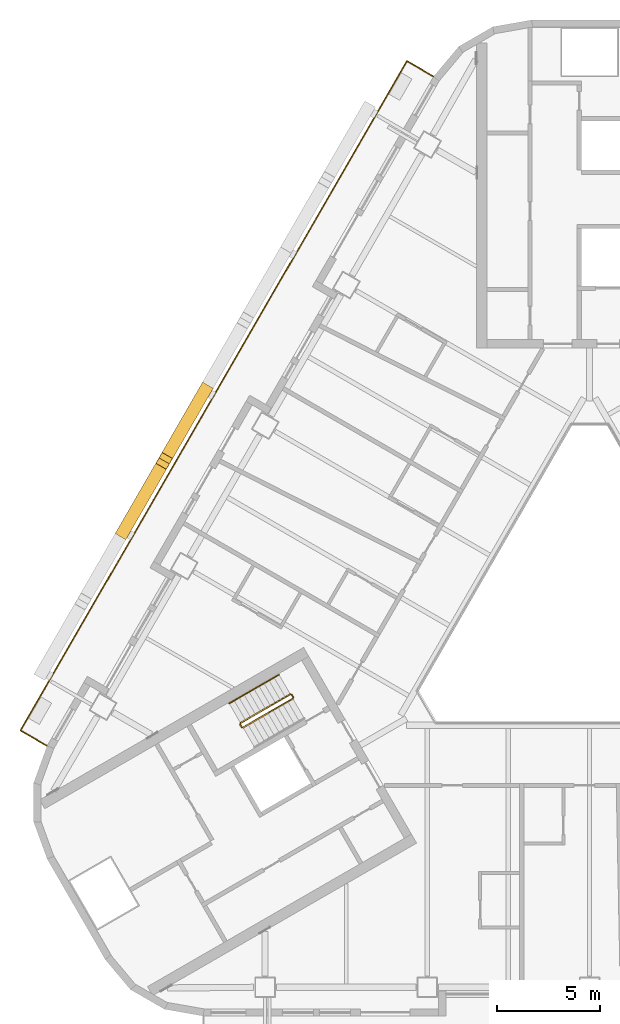
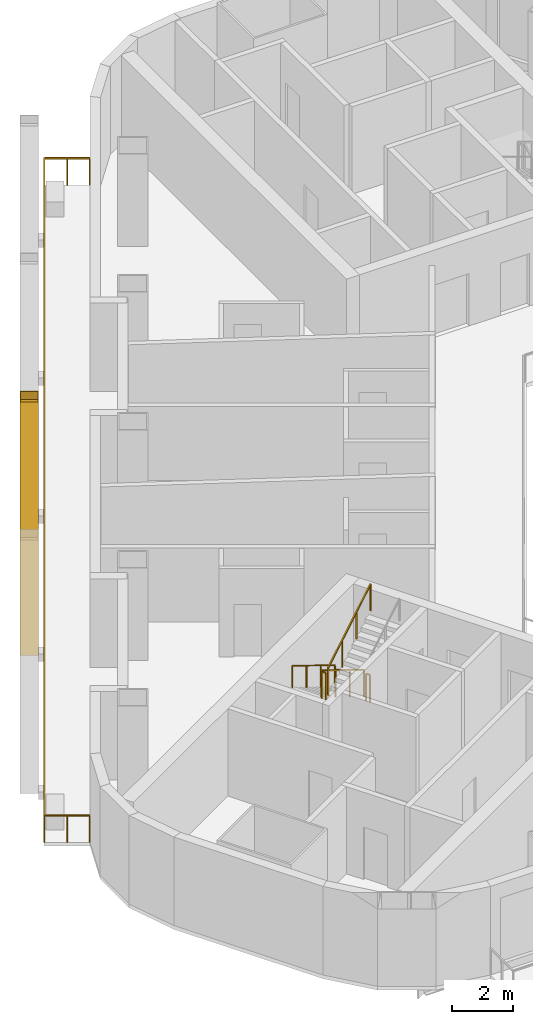
# One storey, part 13 of 17: 6 railings, 2 shading devices.
"""IFC4 building model written with IfcOpenShell, lengths in metres."""

from ifc_helpers import new_model, si_unit, direction, frame, origin, origin_2d, place, context, subcontext, project, spatial, rectangle, hollow_rectangle, circle, extrude, material, material_profile, profile_set, type_object, element, save


model = new_model("IFC4")

# Units and contexts
model_context = context("Model", 3, precision=1e-05, world=origin(), true_north=direction((0.0, 1.0)))
body_context = subcontext(model_context, "Body", "Model", "MODEL_VIEW")
ifc_project = project(units=[si_unit("LENGTHUNIT", "METRE"), si_unit("AREAUNIT", "SQUARE_METRE"), si_unit("VOLUMEUNIT", "CUBIC_METRE"), si_unit("PLANEANGLEUNIT", "RADIAN"), si_unit("MASSUNIT", "GRAM", prefix="KILO")], contexts=[model_context])

# Site, building, storey
site_placement = place(None, origin())
site = spatial("IfcSite", under=ifc_project, at=site_placement, CompositionType="ELEMENT")
building_placement = place(site_placement, origin())
building = spatial("IfcBuilding", under=site, at=building_placement, Name="Apuvela Tower Hotel", CompositionType="ELEMENT")
storey_placement = place(building_placement, frame((0.0, 0.0, 46.5)))
storey = spatial("IfcBuildingStorey", under=building, at=storey_placement, Name="L08", CompositionType="ELEMENT", Elevation=46.5)

# Railings
ifc_material_1 = material(Name="Steel S275 balustrade", Category="steel")
railing_type_1 = type_object("IfcRailingType", Name="COR-GUARD-1100", PredefinedType="GUARDRAIL", material=ifc_material_1)
railing_1_placement = place(storey_placement, frame((-14.569091796875, -3.9658203125, 0.168212890625)))
element("IfcRailing", 1, at=railing_1_placement, inside=storey, type_object=railing_type_1, Name="L08 ST2 stair guard 1", PredefinedType="GUARDRAIL", context=body_context, shape_type="SweptSolid", body=[
    extrude(rectangle(XDim=0.048095703125, YDim=0.048095703125, at=origin_2d()), frame((0.0, 0.0, 1.076171875), z_axis=(-0.742390482028, -0.42860119049, 0.514934356695), x_axis=(0.49998411664, -0.866034573852, 0.0)), (0.0, 0.0, 1.0), 3.26611328125),
    extrude(rectangle(XDim=0.0419921875, YDim=0.0419921875, at=origin_2d()), origin(), (0.0, 0.0, 1.0), 1.052001953125),
    extrude(rectangle(XDim=0.0419921875, YDim=0.0419921875, at=origin_2d()), frame((-0.808349609375, -0.466552734375, 0.560546875)), (0.0, 0.0, 1.0), 1.052001953125),
    extrude(rectangle(XDim=0.0419921875, YDim=0.0419921875, at=origin_2d()), frame((-1.616455078125, -0.933349609375, 1.121337890625)), (0.0, 0.0, 1.0), 1.052001953125),
    extrude(rectangle(XDim=0.0419921875, YDim=0.0419921875, at=origin_2d()), frame((-2.4248046875, -1.39990234375, 1.681884765625)), (0.0, 0.0, 1.0), 1.052001953125),
])
railing_2_placement = place(storey_placement, frame((-17.01220703125, -5.43408203125, 1.85009765625)))
element("IfcRailing", 2, at=railing_2_placement, inside=storey, type_object=railing_type_1, Name="L08 ST2 stair guard 2", PredefinedType="GUARDRAIL", context=body_context, shape_type="SweptSolid", body=[
    extrude(rectangle(XDim=0.048095703125, YDim=0.048095703125, at=origin_2d()), frame((0.0, 0.0, 1.076171875), z_axis=(0.499816412211, -0.866131372301, 0.0), x_axis=(0.866131372301, 0.499816412211, 0.0)), (0.0, 0.0, 1.0), 0.14990234375),
    extrude(rectangle(XDim=0.0419921875, YDim=0.0419921875, at=origin_2d()), origin(), (0.0, 0.0, 1.0), 1.052001953125),
    extrude(rectangle(XDim=0.0419921875, YDim=0.0419921875, at=origin_2d()), frame((0.074951171875, -0.1298828125, 0.0)), (0.0, 0.0, 1.0), 1.052001953125),
])
railing_3_placement = place(storey_placement, frame((-16.868896484375, -5.582275390625, 2.01806640625)))
element("IfcRailing", 3, at=railing_3_placement, inside=storey, type_object=railing_type_1, Name="L08 ST2 stair guard 3", PredefinedType="GUARDRAIL", context=body_context, shape_type="SweptSolid", body=[
    extrude(rectangle(XDim=0.048095703125, YDim=0.048095703125, at=origin_2d()), frame((0.0, 0.0, 1.076171875), z_axis=(0.742390482028, 0.42860119049, 0.514934356695), x_axis=(-0.49998411664, 0.866034573852, 0.0)), (0.0, 0.0, 1.0), 3.26611328125),
    extrude(rectangle(XDim=0.0419921875, YDim=0.0419921875, at=origin_2d()), origin(), (0.0, 0.0, 1.0), 1.052001953125),
    extrude(rectangle(XDim=0.0419921875, YDim=0.0419921875, at=origin_2d()), frame((0.808349609375, 0.466552734375, 0.560546875)), (0.0, 0.0, 1.0), 1.052001953125),
    extrude(rectangle(XDim=0.0419921875, YDim=0.0419921875, at=origin_2d()), frame((1.616455078125, 0.933349609375, 1.121337890625)), (0.0, 0.0, 1.0), 1.052001953125),
    extrude(rectangle(XDim=0.0419921875, YDim=0.0419921875, at=origin_2d()), frame((2.4248046875, 1.39990234375, 1.681884765625)), (0.0, 0.0, 1.0), 1.052001953125),
])
railing_4_placement = place(storey_placement, frame((-14.500732421875, -3.984130859375, 0.0)))
element("IfcRailing", 4, at=railing_4_placement, inside=storey, type_object=railing_type_1, Name="L08 ST2 stair guard 4", PredefinedType="GUARDRAIL", context=body_context, shape_type="SweptSolid", body=[
    extrude(rectangle(XDim=0.048095703125, YDim=0.048095703125, at=origin_2d()), frame((0.0, 0.0, 1.076171875), z_axis=(0.499816412211, -0.866131372301, 0.0), x_axis=(0.866131372301, 0.499816412211, 0.0)), (0.0, 0.0, 1.0), 0.14990234375),
    extrude(rectangle(XDim=0.0419921875, YDim=0.0419921875, at=origin_2d()), origin(), (0.0, 0.0, 1.0), 1.052001953125),
    extrude(rectangle(XDim=0.0419921875, YDim=0.0419921875, at=origin_2d()), frame((0.074951171875, -0.1298828125, 0.0)), (0.0, 0.0, 1.0), 1.052001953125),
])
ifc_material_2 = material(Name="Stainless steel 316 handrail", Category="steel")
railing_type_2 = type_object("IfcRailingType", Name="COR-HANDRAIL-900", PredefinedType="HANDRAIL", material=ifc_material_2)
railing_5_placement = place(storey_placement, frame((-15.118896484375, -3.01318359375, 0.168212890625)))
element("IfcRailing", 5, at=railing_5_placement, inside=storey, type_object=railing_type_2, Name="L08 ST2 stair handrail 1", PredefinedType="HANDRAIL", context=body_context, shape_type="SweptSolid", body=[
    extrude(circle(Radius=0.02392578125, at=origin_2d()), frame((0.0, 0.0, 0.8759765625), z_axis=(-0.742424030051, -0.428577407461, 0.514905783049), x_axis=(0.49994636267, -0.866056369097, 0.0)), (0.0, 0.0, 1.0), 3.266357421875),
    extrude(rectangle(XDim=0.0419921875, YDim=0.0419921875, at=origin_2d()), origin(), (0.0, 0.0, 1.0), 0.851806640625),
    extrude(rectangle(XDim=0.0419921875, YDim=0.0419921875, at=origin_2d()), frame((-0.808349609375, -0.466552734375, 0.560546875)), (0.0, 0.0, 1.0), 0.851806640625),
    extrude(rectangle(XDim=0.0419921875, YDim=0.0419921875, at=origin_2d()), frame((-1.61669921875, -0.933349609375, 1.121337890625)), (0.0, 0.0, 1.0), 0.851806640625),
    extrude(rectangle(XDim=0.0419921875, YDim=0.0419921875, at=origin_2d()), frame((-2.425048828125, -1.39990234375, 1.681884765625)), (0.0, 0.0, 1.0), 0.851806640625),
])

# Shading devices
ifc_material_3 = material(Name="Aluminium 6063-T6, black anodised", Category="aluminium")
ifc_material_profile = material_profile(ifc_material_3, hollow_rectangle(XDim=0.60009765625, YDim=0.699951171875, WallThickness=0.011962890625, at=origin_2d()), Name="AL BOX 700x600x12")
ifc_profile_set = profile_set([ifc_material_profile], Name="Aluminium 6063-T6, black anodised")
shading_device_type = type_object("IfcShadingDeviceType", Name="ENV-FIN-700x600", PredefinedType="USERDEFINED", material=ifc_profile_set)
shading_device_1_placement = place(storey_placement, frame((-18.732177734375, 10.81494140625, -0.10009765625), z_axis=(-0.235430342887, -0.407790151341, 0.882201647084), x_axis=(0.866032218625, -0.499988196164, 0.0)))
element("IfcShadingDevice", 6, at=shading_device_1_placement, inside=storey, type_object=shading_device_type, Name="Lattice fin NW101", ObjectType="FIN", PredefinedType="USERDEFINED", context=body_context, shape_type="SweptSolid", body=[
    extrude(hollow_rectangle(XDim=0.60009765625, YDim=0.699951171875, WallThickness=0.011962890625, at=origin_2d()), origin(), (0.0, 0.0, 1.0), 8.38818359375),
])
shading_device_2_placement = place(storey_placement, frame((-22.68212890625, 3.973388671875, -0.10009765625), z_axis=(0.235455039791, 0.407811621453, 0.882185131163), x_axis=(-0.866020906874, 0.500007788796, 0.0)))
element("IfcShadingDevice", 7, at=shading_device_2_placement, inside=storey, type_object=shading_device_type, Name="Lattice fin NW102", ObjectType="FIN", PredefinedType="USERDEFINED", context=body_context, shape_type="SweptSolid", body=[
    extrude(hollow_rectangle(XDim=0.60009765625, YDim=0.699951171875, WallThickness=0.011962890625, at=origin_2d()), origin(), (0.0, 0.0, 1.0), 8.388427734375),
])

# Railing
ifc_material_4 = material(Name="Stainless steel 316 rail with laminated glass infill", Category="steel")
railing_type_3 = type_object("IfcRailingType", Name="ENV-GUARD-1100", PredefinedType="GUARDRAIL", material=ifc_material_4)
railing_6_placement = place(storey_placement, frame((-7.59228515625, 26.110107421875, 0.0)))
element("IfcRailing", 8, at=railing_6_placement, inside=storey, type_object=railing_type_3, Name="Balcony guard NW L08", PredefinedType="GUARDRAIL", context=body_context, shape_type="SweptSolid", body=[
    extrude(rectangle(XDim=0.050048828125, YDim=0.050048828125, at=origin_2d()), frame((0.0, 0.0, 1.0751953125), z_axis=(-0.86599040064, 0.500060622324, 0.0), x_axis=(-0.500060622324, -0.86599040064, 0.0)), (0.0, 0.0, 1.0), 1.499755859375),
    extrude(rectangle(XDim=0.050048828125, YDim=0.050048828125, at=origin_2d()), frame((-1.298828125, 0.75, 1.0751953125), z_axis=(-0.500000437506, -0.86602515119, 0.0), x_axis=(0.86602515119, -0.500000437506, 0.0)), (0.0, 0.0, 1.0), 37.6318359375),
    extrude(rectangle(XDim=0.050048828125, YDim=0.050048828125, at=origin_2d()), frame((-20.11474609375, -31.840087890625, 1.0751953125), z_axis=(0.866031096941, -0.499990139034, 0.0), x_axis=(0.499990139034, 0.866031096941, 0.0)), (0.0, 0.0, 1.0), 1.5),
    extrude(rectangle(XDim=0.0400390625, YDim=0.0400390625, at=origin_2d()), origin(), (0.0, 0.0, 1.0), 1.050048828125),
    extrude(rectangle(XDim=0.0400390625, YDim=0.0400390625, at=origin_2d()), frame((-0.6494140625, 0.375, 0.0)), (0.0, 0.0, 1.0), 1.050048828125),
    extrude(rectangle(XDim=0.0400390625, YDim=0.0400390625, at=origin_2d()), frame((-1.298828125, 0.75, 0.0)), (0.0, 0.0, 1.0), 1.050048828125),
    extrude(rectangle(XDim=0.0400390625, YDim=0.0400390625, at=origin_2d()), frame((-1.88671875, -0.2685546875, 0.0)), (0.0, 0.0, 1.0), 1.050048828125),
    extrude(rectangle(XDim=0.0400390625, YDim=0.0400390625, at=origin_2d()), frame((-2.474853515625, -1.286865234375, 0.0)), (0.0, 0.0, 1.0), 1.050048828125),
    extrude(rectangle(XDim=0.0400390625, YDim=0.0400390625, at=origin_2d()), frame((-3.062744140625, -2.305419921875, 0.0)), (0.0, 0.0, 1.0), 1.050048828125),
    extrude(rectangle(XDim=0.0400390625, YDim=0.0400390625, at=origin_2d()), frame((-3.65087890625, -3.32373046875, 0.0)), (0.0, 0.0, 1.0), 1.050048828125),
    extrude(rectangle(XDim=0.0400390625, YDim=0.0400390625, at=origin_2d()), frame((-4.23876953125, -4.34228515625, 0.0)), (0.0, 0.0, 1.0), 1.050048828125),
    extrude(rectangle(XDim=0.0400390625, YDim=0.0400390625, at=origin_2d()), frame((-4.826904296875, -5.360595703125, 0.0)), (0.0, 0.0, 1.0), 1.050048828125),
    extrude(rectangle(XDim=0.0400390625, YDim=0.0400390625, at=origin_2d()), frame((-5.414794921875, -6.379150390625, 0.0)), (0.0, 0.0, 1.0), 1.050048828125),
    extrude(rectangle(XDim=0.0400390625, YDim=0.0400390625, at=origin_2d()), frame((-6.0029296875, -7.3974609375, 0.0)), (0.0, 0.0, 1.0), 1.050048828125),
    extrude(rectangle(XDim=0.0400390625, YDim=0.0400390625, at=origin_2d()), frame((-6.5908203125, -8.416015625, 0.0)), (0.0, 0.0, 1.0), 1.050048828125),
    extrude(rectangle(XDim=0.0400390625, YDim=0.0400390625, at=origin_2d()), frame((-7.1787109375, -9.434326171875, 0.0)), (0.0, 0.0, 1.0), 1.050048828125),
    extrude(rectangle(XDim=0.0400390625, YDim=0.0400390625, at=origin_2d()), frame((-7.766845703125, -10.452880859375, 0.0)), (0.0, 0.0, 1.0), 1.050048828125),
    extrude(rectangle(XDim=0.0400390625, YDim=0.0400390625, at=origin_2d()), frame((-8.354736328125, -11.47119140625, 0.0)), (0.0, 0.0, 1.0), 1.050048828125),
    extrude(rectangle(XDim=0.0400390625, YDim=0.0400390625, at=origin_2d()), frame((-8.94287109375, -12.48974609375, 0.0)), (0.0, 0.0, 1.0), 1.050048828125),
    extrude(rectangle(XDim=0.0400390625, YDim=0.0400390625, at=origin_2d()), frame((-9.53076171875, -13.508056640625, 0.0)), (0.0, 0.0, 1.0), 1.050048828125),
    extrude(rectangle(XDim=0.0400390625, YDim=0.0400390625, at=origin_2d()), frame((-10.118896484375, -14.526611328125, 0.0)), (0.0, 0.0, 1.0), 1.050048828125),
    extrude(rectangle(XDim=0.0400390625, YDim=0.0400390625, at=origin_2d()), frame((-10.706787109375, -15.544921875, 0.0)), (0.0, 0.0, 1.0), 1.050048828125),
    extrude(rectangle(XDim=0.0400390625, YDim=0.0400390625, at=origin_2d()), frame((-11.294677734375, -16.5634765625, 0.0)), (0.0, 0.0, 1.0), 1.050048828125),
    extrude(rectangle(XDim=0.0400390625, YDim=0.0400390625, at=origin_2d()), frame((-11.8828125, -17.58203125, 0.0)), (0.0, 0.0, 1.0), 1.050048828125),
    extrude(rectangle(XDim=0.0400390625, YDim=0.0400390625, at=origin_2d()), frame((-12.470703125, -18.600341796875, 0.0)), (0.0, 0.0, 1.0), 1.050048828125),
    extrude(rectangle(XDim=0.0400390625, YDim=0.0400390625, at=origin_2d()), frame((-13.058837890625, -19.618896484375, 0.0)), (0.0, 0.0, 1.0), 1.050048828125),
    extrude(rectangle(XDim=0.0400390625, YDim=0.0400390625, at=origin_2d()), frame((-13.646728515625, -20.63720703125, 0.0)), (0.0, 0.0, 1.0), 1.050048828125),
    extrude(rectangle(XDim=0.0400390625, YDim=0.0400390625, at=origin_2d()), frame((-14.23486328125, -21.65576171875, 0.0)), (0.0, 0.0, 1.0), 1.050048828125),
    extrude(rectangle(XDim=0.0400390625, YDim=0.0400390625, at=origin_2d()), frame((-14.82275390625, -22.674072265625, 0.0)), (0.0, 0.0, 1.0), 1.050048828125),
    extrude(rectangle(XDim=0.0400390625, YDim=0.0400390625, at=origin_2d()), frame((-15.41064453125, -23.692626953125, 0.0)), (0.0, 0.0, 1.0), 1.050048828125),
    extrude(rectangle(XDim=0.0400390625, YDim=0.0400390625, at=origin_2d()), frame((-15.998779296875, -24.7109375, 0.0)), (0.0, 0.0, 1.0), 1.050048828125),
    extrude(rectangle(XDim=0.0400390625, YDim=0.0400390625, at=origin_2d()), frame((-16.586669921875, -25.7294921875, 0.0)), (0.0, 0.0, 1.0), 1.050048828125),
    extrude(rectangle(XDim=0.0400390625, YDim=0.0400390625, at=origin_2d()), frame((-17.1748046875, -26.747802734375, 0.0)), (0.0, 0.0, 1.0), 1.050048828125),
    extrude(rectangle(XDim=0.0400390625, YDim=0.0400390625, at=origin_2d()), frame((-17.7626953125, -27.766357421875, 0.0)), (0.0, 0.0, 1.0), 1.050048828125),
    extrude(rectangle(XDim=0.0400390625, YDim=0.0400390625, at=origin_2d()), frame((-18.350830078125, -28.78466796875, 0.0)), (0.0, 0.0, 1.0), 1.050048828125),
    extrude(rectangle(XDim=0.0400390625, YDim=0.0400390625, at=origin_2d()), frame((-18.938720703125, -29.80322265625, 0.0)), (0.0, 0.0, 1.0), 1.050048828125),
    extrude(rectangle(XDim=0.0400390625, YDim=0.0400390625, at=origin_2d()), frame((-19.52685546875, -30.821533203125, 0.0)), (0.0, 0.0, 1.0), 1.050048828125),
    extrude(rectangle(XDim=0.0400390625, YDim=0.0400390625, at=origin_2d()), frame((-20.11474609375, -31.840087890625, 0.0)), (0.0, 0.0, 1.0), 1.050048828125),
    extrude(rectangle(XDim=0.0400390625, YDim=0.0400390625, at=origin_2d()), frame((-19.46533203125, -32.215087890625, 0.0)), (0.0, 0.0, 1.0), 1.050048828125),
    extrude(rectangle(XDim=0.0400390625, YDim=0.0400390625, at=origin_2d()), frame((-18.815673828125, -32.590087890625, 0.0)), (0.0, 0.0, 1.0), 1.050048828125),
])

save(model, "model.ifc")
